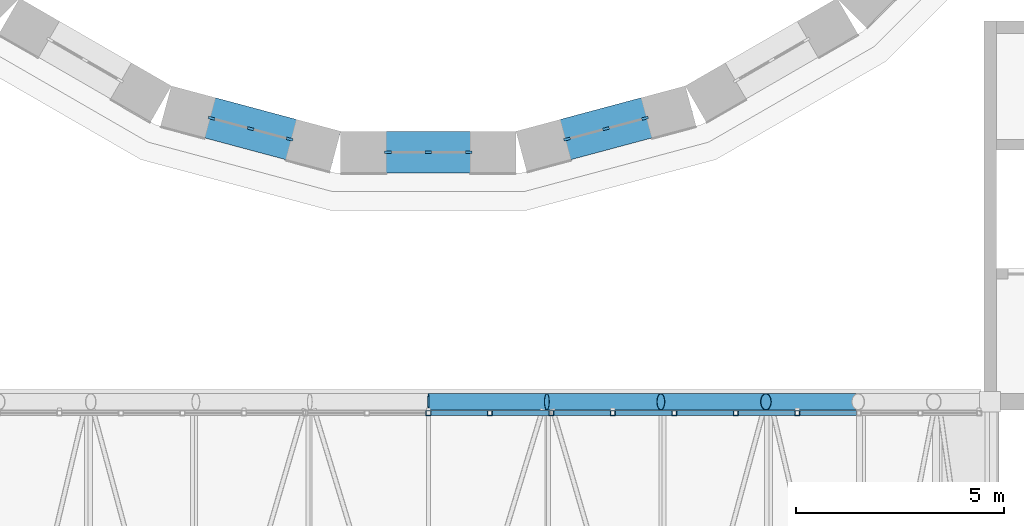
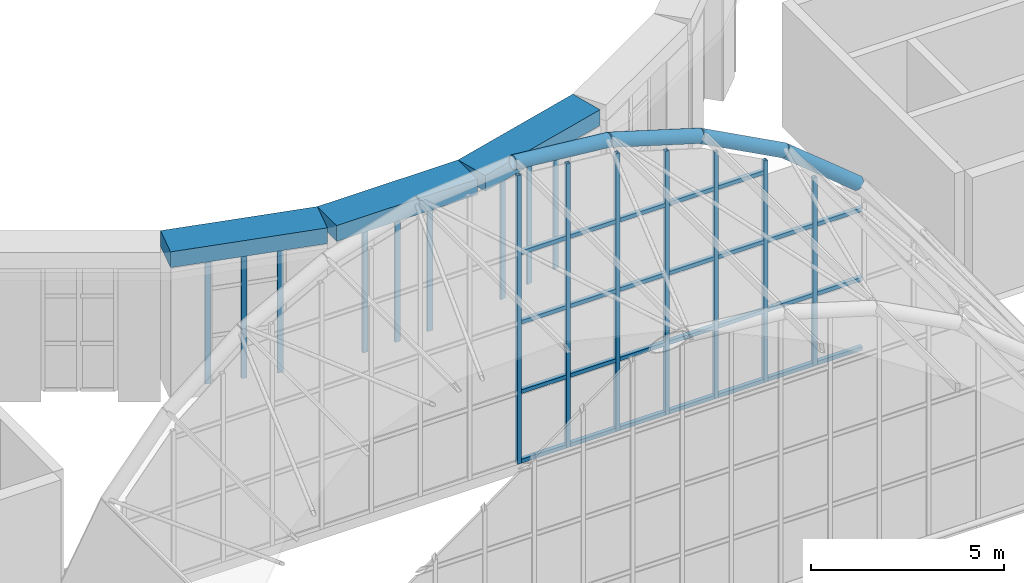
# One storey, part 56 of 121: 46 members, 3 beams, 4 elements without a shape of their own.
"""IFC4 building model written with IfcOpenShell, lengths in metres."""

import ifcopenshell
import ifcopenshell.guid

model = None  # the IFC model being written
_history = None  # IfcOwnerHistory: only IFC2X3 demands one
_inside = {}  # id of a spatial element -> (the spatial element, [elements in it])
_under = {}  # id of a project, library or spatial element -> (it, [spatial elements below it])
_declared = {}  # id of a project -> (the project, [libraries it declares])
_typed = {}  # id of a type object -> (the type object, [elements of that type])
_made_of = {}  # id of a material, layer set ... -> (it, [elements and type objects made of it])


def new_model(schema):
    """Start an empty IFC model of exactly this schema.

    Asked for "IFC4X3", IfcOpenShell would pick the latest addendum, in which some entities
    have other attributes; the version numbers below select the first issue.
    IFC2X3 requires an IfcOwnerHistory on every rooted entity: one is made here for all.
    """
    global model, _history
    if schema == "IFC4X3":
        model = ifcopenshell.file(schema_version=(4, 3, 0, 0))
    else:
        model = ifcopenshell.file(schema=schema)
    _inside.clear()
    _under.clear()
    _declared.clear()
    _typed.clear()
    _made_of.clear()
    _history = None
    if model.schema == "IFC2X3":
        org = make("IfcOrganization", Name="unknown")
        user = make(
            "IfcPersonAndOrganization",
            ThePerson=make("IfcPerson", FamilyName="unknown"),
            TheOrganization=org,
        )
        app = make(
            "IfcApplication",
            ApplicationDeveloper=org,
            Version="unknown",
            ApplicationFullName="unknown",
            ApplicationIdentifier="unknown",
        )
        _history = make(
            "IfcOwnerHistory",
            OwningUser=user,
            OwningApplication=app,
            ChangeAction="ADDED",
            CreationDate=0,
        )
    return model


def make(cls, **values):
    """One entity of the class cls with the attributes given. An attribute that is None is left unset."""
    return model.create_entity(
        cls, **{name: value for name, value in values.items() if value is not None}
    )


def rooted(cls, **values):
    """An entity with a GlobalId (a new one), such as an element, a storey or a relation."""
    return make(cls, GlobalId=ifcopenshell.guid.new(), OwnerHistory=_history, **values)


def si_unit(unit_type, name, prefix=None):
    """IfcSIUnit, for example si_unit("LENGTHUNIT", "METRE", prefix="MILLI")."""
    return make("IfcSIUnit", UnitType=unit_type, Prefix=prefix, Name=name)


def assignment(units):
    """IfcUnitAssignment: the units of a project."""
    return None if units is None else make("IfcUnitAssignment", Units=units)


def point(xyz):
    """IfcCartesianPoint."""
    return None if xyz is None else make("IfcCartesianPoint", Coordinates=xyz)


def direction(xyz):
    """IfcDirection."""
    return None if xyz is None else make("IfcDirection", DirectionRatios=xyz)


def frame(location, z_axis=None, x_axis=None):
    """IfcAxis2Placement3D, a coordinate frame: its origin and axes. An axis left out is left unset."""
    return make(
        "IfcAxis2Placement3D",
        Location=point(location),
        Axis=direction(z_axis),
        RefDirection=direction(x_axis),
    )


def frame_2d(location, x_axis=None):
    """IfcAxis2Placement2D, a coordinate frame in the plane: its origin and x axis."""
    return make(
        "IfcAxis2Placement2D", Location=point(location), RefDirection=direction(x_axis)
    )


def origin():
    """The frame at (0, 0, 0) with its axes left unset."""
    return frame((0.0, 0.0, 0.0))


def origin_2d():
    """The frame at (0, 0) in the plane with its x axis left unset."""
    return frame_2d((0.0, 0.0))


def place(relative_to, where):
    """IfcLocalPlacement: puts the frame where relative to a parent placement (None: the world)."""
    return make(
        "IfcLocalPlacement", PlacementRelTo=relative_to, RelativePlacement=where
    )


def context(
    kind, dimensions, precision=None, world=None, true_north=None, identifier=None
):
    """IfcGeometricRepresentationContext, for example the 3D "Model" context."""
    return make(
        "IfcGeometricRepresentationContext",
        ContextIdentifier=identifier,
        ContextType=kind,
        CoordinateSpaceDimension=dimensions,
        Precision=precision,
        WorldCoordinateSystem=world,
        TrueNorth=true_north,
    )


def subcontext(parent, identifier, kind, view, scale=None):
    """IfcGeometricRepresentationSubContext, for example "Body" below "Model"."""
    return make(
        "IfcGeometricRepresentationSubContext",
        ContextIdentifier=identifier,
        ContextType=kind,
        ParentContext=parent,
        TargetScale=scale,
        TargetView=view,
    )


def project(units=None, contexts=None):
    """IfcProject with its units and contexts."""
    return rooted(
        "IfcProject",
        Name="project",
        RepresentationContexts=contexts,
        UnitsInContext=assignment(units),
    )


def spatial(cls, under=None, at=None, **own):
    """A site, building, storey or space (cls), placed at a placement, below another one or the project."""
    s = rooted(cls, ObjectPlacement=at, **own)
    if under is not None:
        _under.setdefault(under.id(), (under, []))[1].append(s)
    return s


def profile(cls, at=None, kind="AREA", **sizes):
    """A parametric profile (cls). Its sizes go by their IFC names, for example OverallWidth=200.0."""
    return make(cls, ProfileType=kind, Position=at, **sizes)


def rectangle(**sizes):
    """IfcRectangleProfileDef."""
    return profile("IfcRectangleProfileDef", **sizes)


def hollow_rectangle(**sizes):
    """IfcRectangleHollowProfileDef."""
    return profile("IfcRectangleHollowProfileDef", **sizes)


def hollow_circle(**sizes):
    """IfcCircleHollowProfileDef."""
    return profile("IfcCircleHollowProfileDef", **sizes)


def extrude(swept, where, along, depth):
    """IfcExtrudedAreaSolid: the profile swept, set in the frame where, extruded along a direction by depth."""
    return make(
        "IfcExtrudedAreaSolid",
        SweptArea=swept,
        Position=where,
        ExtrudedDirection=direction(along),
        Depth=depth,
    )


def shape(context_of_items, identifier, shape_type, items):
    """IfcShapeRepresentation: the items that make up one representation, for example the "Body"."""
    return make(
        "IfcShapeRepresentation",
        ContextOfItems=context_of_items,
        RepresentationIdentifier=identifier,
        RepresentationType=shape_type,
        Items=items,
    )


def material(Name=None, Category=None):
    """IfcMaterial."""
    return make("IfcMaterial", Name=Name, Category=Category)


def layer(
    of_material, thickness, ventilated=None, Name=None, Category=None, Priority=None
):
    """IfcMaterialLayer: one layer of a wall or slab, of a material (None: an air gap)."""
    return make(
        "IfcMaterialLayer",
        Material=of_material,
        LayerThickness=thickness,
        IsVentilated=ventilated,
        Name=Name,
        Category=Category,
        Priority=Priority,
    )


def layer_set(layers, Name=None):
    """IfcMaterialLayerSet."""
    return make("IfcMaterialLayerSet", MaterialLayers=layers, LayerSetName=Name)


def material_profile(
    of_material, cross_section, Name=None, Category=None, Priority=None
):
    """IfcMaterialProfile: a cross section and its material."""
    return make(
        "IfcMaterialProfile",
        Name=Name,
        Material=of_material,
        Profile=cross_section,
        Priority=Priority,
        Category=Category,
    )


def profile_set(profiles, Name=None, composite=None):
    """IfcMaterialProfileSet."""
    return make(
        "IfcMaterialProfileSet",
        Name=Name,
        MaterialProfiles=profiles,
        CompositeProfile=composite,
    )


def made_of(thing, what):
    """Note that an element or type object is made of a material, layer set ...; save() writes the relation."""
    if what is not None:
        _made_of.setdefault(what.id(), (what, []))[1].append(thing)
    return thing


def type_object(cls, material=None, **own):
    """A type object (cls), such as IfcWallType, which elements share."""
    return made_of(rooted(cls, **own), material)


def element(
    cls,
    number,
    at=None,
    inside=None,
    cuts=None,
    type_object=None,
    material=None,
    context=None,
    identifier="Body",
    shape_type=None,
    held_by="IfcProductDefinitionShape",
    body=None,
    shapes=None,
    **own,
):
    """One element of the class cls, such as IfcWall. Its Tag is "e" and its number.

    at: its placement. inside: the storey or other place that contains it. cuts: it is an
    opening in that element (IfcRelVoidsElement). A single representation is given by context,
    identifier, shape_type and body (its items); several are given by shapes. held_by: the class
    of the entity that holds the representations. save() writes the other relations.
    """
    e = rooted(cls, Tag="e%d" % number, ObjectPlacement=at, **own)
    if body is not None:
        shapes = [shape(context, identifier, shape_type, body)]
    if shapes is not None:
        e.Representation = make(held_by, Representations=shapes)
    if inside is not None:
        _inside.setdefault(inside.id(), (inside, []))[1].append(e)
    if cuts is not None:
        rooted(
            "IfcRelVoidsElement", RelatingBuildingElement=cuts, RelatedOpeningElement=e
        )
    if type_object is not None:
        _typed.setdefault(type_object.id(), (type_object, []))[1].append(e)
    return made_of(e, material)


def aggregate(whole, parts):
    """IfcRelAggregates: a whole, such as a stair, and the parts it consists of."""
    return rooted("IfcRelAggregates", RelatingObject=whole, RelatedObjects=parts)


def save(model, path):
    """Write the relations noted so far, then the file.

    IfcRelAggregates (storeys below a building ...), IfcRelContainedInSpatialStructure (elements
    in a storey), IfcRelDefinesByType, IfcRelAssociatesMaterial and IfcRelDeclares: one each for
    every whole, place, type object, material and project.
    """
    for whole, parts in _under.values():
        aggregate(whole, parts)
    for where, things in _inside.values():
        rooted(
            "IfcRelContainedInSpatialStructure",
            RelatedElements=things,
            RelatingStructure=where,
        )
    for kind, things in _typed.values():
        rooted("IfcRelDefinesByType", RelatedObjects=things, RelatingType=kind)
    for what, things in _made_of.values():
        rooted("IfcRelAssociatesMaterial", RelatedObjects=things, RelatingMaterial=what)
    for by, libraries in _declared.values():
        rooted("IfcRelDeclares", RelatingContext=by, RelatedDefinitions=libraries)
    model.write(path)


model = new_model("IFC4")

# Units and contexts
model_context = context("Model", 3, precision=1e-05, world=origin(), true_north=direction((0.0, 1.0)))
body_context = subcontext(model_context, "Body", "Model", "MODEL_VIEW")
ifc_project = project(units=[si_unit("LENGTHUNIT", "METRE"), si_unit("AREAUNIT", "SQUARE_METRE"), si_unit("VOLUMEUNIT", "CUBIC_METRE"), si_unit("PLANEANGLEUNIT", "RADIAN"), si_unit("MASSUNIT", "GRAM", prefix="KILO")], contexts=[model_context])

# Site, building, storey
site_placement = place(None, origin())
site = spatial("IfcSite", under=ifc_project, at=site_placement, CompositionType="ELEMENT")
building_placement = place(site_placement, origin())
building = spatial("IfcBuilding", under=site, at=building_placement, Name="Golden Quay Civic Hall", CompositionType="ELEMENT")
storey_placement = place(building_placement, frame((0.0, 0.0, 18.60009765625)))
storey = spatial("IfcBuildingStorey", under=building, at=storey_placement, Name="L04", CompositionType="ELEMENT", Elevation=18.60009765625)

# Curtain wall, members
ifc_material_1 = material(Name="Glass, laminated double glazed", Category="glass")
ifc_layer = layer(ifc_material_1, 0.199951171875)
ifc_layer_set = layer_set([ifc_layer], Name="Glazed drum clerestory curtain wall")
curtain_wall_type_1 = type_object("IfcCurtainWallType", Name="Glazed drum clerestory curtain wall", PredefinedType="NOTDEFINED", material=ifc_layer_set)
curtain_wall_1_placement = place(storey_placement, origin())
curtain_wall_1 = element("IfcCurtainWall", 1, at=curtain_wall_1_placement, inside=storey, type_object=curtain_wall_type_1, Name="Clerestory curtain wall 17", PredefinedType="NOTDEFINED")
ifc_material_2 = material(Name="Aluminium, anodised", Category="aluminium")
ifc_material_profile_1 = material_profile(ifc_material_2, rectangle(XDim=0.06005859375, YDim=0.159912109375, at=origin_2d()), Name="Aluminium 60 x 160")
ifc_profile_set_1 = profile_set([ifc_material_profile_1], Name="Aluminium, anodised")
member_type_1 = type_object("IfcMemberType", Name="Aluminium mullion 60 x 160", PredefinedType="MULLION", material=ifc_profile_set_1)
member_1_placement = place(storey_placement, frame((80.29248046875, 69.813232421875, -0.2001953125), z_axis=(0.0, 0.0, 1.0), x_axis=(0.258807731996, 0.965928857556, 0.0)))
member_1 = element("IfcMember", 2, at=member_1_placement, type_object=member_type_1, Name="CW5 mullion 1", PredefinedType="MULLION", context=body_context, shape_type="SweptSolid", body=[
    extrude(rectangle(XDim=0.06005859375, YDim=0.159912109375, at=origin_2d()), origin(), (0.0, 0.0, 1.0), 4.2001953125),
])
member_2_placement = place(storey_placement, frame((81.2294921875, 69.562255859375, -0.2001953125), z_axis=(0.0, 0.0, 1.0), x_axis=(0.258807731996, 0.965928857556, 0.0)))
member_2 = element("IfcMember", 3, at=member_2_placement, type_object=member_type_1, Name="CW5 mullion 2", PredefinedType="MULLION", context=body_context, shape_type="SweptSolid", body=[
    extrude(rectangle(XDim=0.06005859375, YDim=0.159912109375, at=origin_2d()), origin(), (0.0, 0.0, 1.0), 4.2001953125),
])
member_3_placement = place(storey_placement, frame((82.16650390625, 69.311279296875, -0.2001953125), z_axis=(0.0, 0.0, 1.0), x_axis=(0.258807731996, 0.965928857556, 0.0)))
member_3 = element("IfcMember", 4, at=member_3_placement, type_object=member_type_1, Name="CW5 mullion 3", PredefinedType="MULLION", context=body_context, shape_type="SweptSolid", body=[
    extrude(rectangle(XDim=0.06005859375, YDim=0.159912109375, at=origin_2d()), origin(), (0.0, 0.0, 1.0), 4.2001953125),
])
aggregate(curtain_wall_1, [member_1, member_2, member_3])

curtain_wall_2_placement = place(storey_placement, origin())
curtain_wall_2 = element("IfcCurtainWall", 5, at=curtain_wall_2_placement, inside=storey, type_object=curtain_wall_type_1, Name="Clerestory curtain wall 18", PredefinedType="NOTDEFINED")
member_4_placement = place(storey_placement, frame((84.530029296875, 69.0, -0.2001953125), z_axis=(0.0, 0.0, 1.0), x_axis=(0.0, 1.0, 0.0)))
member_4 = element("IfcMember", 6, at=member_4_placement, type_object=member_type_1, Name="CW5 mullion 1", PredefinedType="MULLION", context=body_context, shape_type="SweptSolid", body=[
    extrude(rectangle(XDim=0.06005859375, YDim=0.159912109375, at=origin_2d()), origin(), (0.0, 0.0, 1.0), 4.2001953125),
])
member_5_placement = place(storey_placement, frame((85.5, 69.0, -0.2001953125), z_axis=(0.0, 0.0, 1.0), x_axis=(0.0, 1.0, 0.0)))
member_5 = element("IfcMember", 7, at=member_5_placement, type_object=member_type_1, Name="CW5 mullion 2", PredefinedType="MULLION", context=body_context, shape_type="SweptSolid", body=[
    extrude(rectangle(XDim=0.06005859375, YDim=0.159912109375, at=origin_2d()), origin(), (0.0, 0.0, 1.0), 4.2001953125),
])
member_6_placement = place(storey_placement, frame((86.469970703125, 69.0, -0.2001953125), z_axis=(0.0, 0.0, 1.0), x_axis=(0.0, 1.0, 0.0)))
member_6 = element("IfcMember", 8, at=member_6_placement, type_object=member_type_1, Name="CW5 mullion 3", PredefinedType="MULLION", context=body_context, shape_type="SweptSolid", body=[
    extrude(rectangle(XDim=0.06005859375, YDim=0.159912109375, at=origin_2d()), origin(), (0.0, 0.0, 1.0), 4.2001953125),
])
aggregate(curtain_wall_2, [member_4, member_5, member_6])

curtain_wall_3_placement = place(storey_placement, origin())
curtain_wall_3 = element("IfcCurtainWall", 9, at=curtain_wall_3_placement, inside=storey, type_object=curtain_wall_type_1, Name="Clerestory curtain wall 19", PredefinedType="NOTDEFINED")
member_7_placement = place(storey_placement, frame((88.83349609375, 69.311279296875, -0.2001953125), z_axis=(0.0, 0.0, 1.0), x_axis=(-0.258807731996, 0.965928857556, 0.0)))
member_7 = element("IfcMember", 10, at=member_7_placement, type_object=member_type_1, Name="CW5 mullion 1", PredefinedType="MULLION", context=body_context, shape_type="SweptSolid", body=[
    extrude(rectangle(XDim=0.06005859375, YDim=0.159912109375, at=origin_2d()), origin(), (0.0, 0.0, 1.0), 4.2001953125),
])
member_8_placement = place(storey_placement, frame((89.7705078125, 69.562255859375, -0.2001953125), z_axis=(0.0, 0.0, 1.0), x_axis=(-0.258807731996, 0.965928857556, 0.0)))
member_8 = element("IfcMember", 11, at=member_8_placement, type_object=member_type_1, Name="CW5 mullion 2", PredefinedType="MULLION", context=body_context, shape_type="SweptSolid", body=[
    extrude(rectangle(XDim=0.06005859375, YDim=0.159912109375, at=origin_2d()), origin(), (0.0, 0.0, 1.0), 4.2001953125),
])
member_9_placement = place(storey_placement, frame((90.70751953125, 69.813232421875, -0.2001953125), z_axis=(0.0, 0.0, 1.0), x_axis=(-0.258807731996, 0.965928857556, 0.0)))
member_9 = element("IfcMember", 12, at=member_9_placement, type_object=member_type_1, Name="CW5 mullion 3", PredefinedType="MULLION", context=body_context, shape_type="SweptSolid", body=[
    extrude(rectangle(XDim=0.06005859375, YDim=0.159912109375, at=origin_2d()), origin(), (0.0, 0.0, 1.0), 4.2001953125),
])
aggregate(curtain_wall_3, [member_7, member_8, member_9])

# Beams
ifc_material_3 = material(Name="Concrete C40/50", Category="concrete")
ifc_material_profile_2 = material_profile(ifc_material_3, rectangle(XDim=1.0, YDim=0.5, at=origin_2d()), Name="RC 1000x500")
ifc_profile_set_2 = profile_set([ifc_material_profile_2], Name="Concrete C40/50")
beam_type = type_object("IfcBeamType", Name="Reinforced concrete springing ring beam 1000x500", PredefinedType="BEAM", material=ifc_profile_set_2)
for number, where, z_axis, x_axis, name in (
    (13, (79.19482421875, 70.107421875, 4.25), (0.965928392597, -0.258809467323, 0.0), (0.258809467323, 0.965928392597, 0.0), "Drum ring beam segment 17"),
    (14, (83.3935546875, 69.0, 4.25), (1.0, 0.0, 0.0), (0.0, 1.0, 0.0), "Drum ring beam segment 18"),
    (15, (87.73583984375, 69.01708984375, 4.25), (0.965928392597, 0.258809467323, 0.0), (-0.258809467323, 0.965928392597, 0.0), "Drum ring beam segment 19"),
):
    element("IfcBeam", number, at=place(storey_placement, frame(where, z_axis=z_axis, x_axis=x_axis)), inside=storey, type_object=beam_type, Name=name, PredefinedType="BEAM", context=body_context, shape_type="SweptSolid", body=[
        extrude(rectangle(XDim=1.0, YDim=0.5, at=origin_2d()), origin(), (0.0, 0.0, 1.0), 4.212890625),
    ])

# Members
ifc_material_4 = material(Name="Steel S355", Category="steel")
ifc_material_profile_3 = material_profile(ifc_material_4, hollow_circle(Radius=0.203125, WallThickness=0.01611328125, at=origin_2d()), Name="CHS 406.4x16")
ifc_profile_set_3 = profile_set([ifc_material_profile_3], Name="Steel S355")
member_type_2 = type_object("IfcMemberType", Name="Steel arch rib CHS 406.4x16", PredefinedType="USERDEFINED", material=ifc_profile_set_3)
member_10_placement = place(storey_placement, frame((85.5, 63.0, 9.099853515625), z_axis=(0.995201360973, 0.0, -0.097848102266), x_axis=(0.0, 1.0, 0.0)))
element("IfcMember", 16, at=member_10_placement, inside=storey, type_object=member_type_2, Name="Arch rib 8 segment 7", ObjectType="ARCH RIB", PredefinedType="USERDEFINED", context=body_context, shape_type="SweptSolid", body=[
    extrude(hollow_circle(Radius=0.203125, WallThickness=0.01611328125, at=origin_2d()), origin(), (0.0, 0.0, 1.0), 2.86181640625),
])
member_11_placement = place(storey_placement, frame((88.34814453125, 63.0, 8.81982421875), z_axis=(0.957095401463, 0.0, -0.289773001673), x_axis=(0.0, 1.0, 0.0)))
element("IfcMember", 17, at=member_11_placement, inside=storey, type_object=member_type_2, Name="Arch rib 8 segment 8", ObjectType="ARCH RIB", PredefinedType="USERDEFINED", context=body_context, shape_type="SweptSolid", body=[
    extrude(hollow_circle(Radius=0.203125, WallThickness=0.01611328125, at=origin_2d()), origin(), (0.0, 0.0, 1.0), 2.862060546875),
])
for number, where, z_axis, x_axis, name in (
    (18, (91.08740234375, 63.0, 7.990478515625), (0.882326964097, 0.0, -0.470636939082), (0.0, 1.0, 0.0), "Arch rib 8 segment 9"),
    (19, (93.612548828125, 63.0, 6.6435546875), (0.773786223221, 0.0, -0.633446825514), (0.0, 1.0, 0.0), "Arch rib 8 segment 10"),
):
    element("IfcMember", number, at=place(storey_placement, frame(where, z_axis=z_axis, x_axis=x_axis)), inside=storey, type_object=member_type_2, Name=name, ObjectType="ARCH RIB", PredefinedType="USERDEFINED", context=body_context, shape_type="SweptSolid", body=[
        extrude(hollow_circle(Radius=0.203125, WallThickness=0.01611328125, at=origin_2d()), origin(), (0.0, 0.0, 1.0), 2.86181640625),
    ])

# Curtain wall, members
ifc_material_5 = material(Name="Glass and aluminium", Category="aluminium")
curtain_wall_type_2 = type_object("IfcCurtainWallType", Name="Glazed curtain wall 1500 module", PredefinedType="NOTDEFINED", material=ifc_material_5)
curtain_wall_4_placement = place(storey_placement, origin())
curtain_wall_4 = element("IfcCurtainWall", 20, at=curtain_wall_4_placement, inside=storey, type_object=curtain_wall_type_2, Name="Curtain wall tympanum north", PredefinedType="NOTDEFINED")
ifc_material_6 = material(Name="Steel S355", Category="steel")
ifc_material_profile_4 = material_profile(ifc_material_6, hollow_rectangle(XDim=0.1201171875, YDim=0.1201171875, WallThickness=0.008056640625, at=origin_2d()), Name="SHS 120x120x8")
ifc_profile_set_4 = profile_set([ifc_material_profile_4], Name="Steel S355")
member_type_3 = type_object("IfcMemberType", Name="Steel mullion SHS 120x120x8", PredefinedType="MULLION", material=ifc_profile_set_4)
member_12_placement = place(storey_placement, frame((85.5, 62.72998046875, -0.25), z_axis=(0.0, 0.0, 1.0), x_axis=(0.0, 1.0, 0.0)))
member_12 = element("IfcMember", 21, at=member_12_placement, type_object=member_type_3, Name="Tympanum mullion 10", PredefinedType="MULLION", context=body_context, shape_type="SweptSolid", body=[
    extrude(hollow_rectangle(XDim=0.1201171875, YDim=0.1201171875, WallThickness=0.008056640625, at=origin_2d()), origin(), (0.0, 0.0, 1.0), 9.139892578125),
])
member_13_placement = place(storey_placement, frame((86.977783203125, 62.72998046875, -0.25), z_axis=(0.0, 0.0, 1.0), x_axis=(0.0, 1.0, 0.0)))
member_13 = element("IfcMember", 22, at=member_13_placement, type_object=member_type_3, Name="Tympanum mullion 11", PredefinedType="MULLION", context=body_context, shape_type="SweptSolid", body=[
    extrude(hollow_rectangle(XDim=0.1201171875, YDim=0.1201171875, WallThickness=0.008056640625, at=origin_2d()), origin(), (0.0, 0.0, 1.0), 8.99462890625),
])
member_14_placement = place(storey_placement, frame((88.45556640625, 62.72998046875, -0.25), z_axis=(0.0, 0.0, 1.0), x_axis=(0.0, 1.0, 0.0)))
member_14 = element("IfcMember", 23, at=member_14_placement, type_object=member_type_3, Name="Tympanum mullion 12", PredefinedType="MULLION", context=body_context, shape_type="SweptSolid", body=[
    extrude(hollow_rectangle(XDim=0.1201171875, YDim=0.1201171875, WallThickness=0.008056640625, at=origin_2d()), origin(), (0.0, 0.0, 1.0), 8.806884765625),
])
member_15_placement = place(storey_placement, frame((89.933349609375, 62.72998046875, -0.25), z_axis=(0.0, 0.0, 1.0), x_axis=(0.0, 1.0, 0.0)))
member_15 = element("IfcMember", 24, at=member_15_placement, type_object=member_type_3, Name="Tympanum mullion 13", PredefinedType="MULLION", context=body_context, shape_type="SweptSolid", body=[
    extrude(hollow_rectangle(XDim=0.1201171875, YDim=0.1201171875, WallThickness=0.008056640625, at=origin_2d()), origin(), (0.0, 0.0, 1.0), 8.359375),
])
member_16_placement = place(storey_placement, frame((91.4111328125, 62.72998046875, -0.25), z_axis=(0.0, 0.0, 1.0), x_axis=(0.0, 1.0, 0.0)))
member_16 = element("IfcMember", 25, at=member_16_placement, type_object=member_type_3, Name="Tympanum mullion 14", PredefinedType="MULLION", context=body_context, shape_type="SweptSolid", body=[
    extrude(hollow_rectangle(XDim=0.1201171875, YDim=0.1201171875, WallThickness=0.008056640625, at=origin_2d()), origin(), (0.0, 0.0, 1.0), 7.805419921875),
])
member_17_placement = place(storey_placement, frame((92.888916015625, 62.72998046875, -0.25), z_axis=(0.0, 0.0, 1.0), x_axis=(0.0, 1.0, 0.0)))
member_17 = element("IfcMember", 26, at=member_17_placement, type_object=member_type_3, Name="Tympanum mullion 15", PredefinedType="MULLION", context=body_context, shape_type="SweptSolid", body=[
    extrude(hollow_rectangle(XDim=0.1201171875, YDim=0.1201171875, WallThickness=0.008056640625, at=origin_2d()), origin(), (0.0, 0.0, 1.0), 7.017333984375),
])
member_18_placement = place(storey_placement, frame((94.36669921875, 62.72998046875, -0.25), z_axis=(0.0, 0.0, 1.0), x_axis=(0.0, 1.0, 0.0)))
member_18 = element("IfcMember", 27, at=member_18_placement, type_object=member_type_3, Name="Tympanum mullion 16", PredefinedType="MULLION", context=body_context, shape_type="SweptSolid", body=[
    extrude(hollow_rectangle(XDim=0.1201171875, YDim=0.1201171875, WallThickness=0.008056640625, at=origin_2d()), origin(), (0.0, 0.0, 1.0), 5.964599609375),
])
ifc_material_7 = material(Name="Steel S355", Category="steel")
ifc_material_profile_5 = material_profile(ifc_material_7, hollow_rectangle(XDim=0.1201171875, YDim=0.1201171875, WallThickness=0.008056640625, at=origin_2d()), Name="SHS 120x120x8")
ifc_profile_set_5 = profile_set([ifc_material_profile_5], Name="Steel S355")
member_type_4 = type_object("IfcMemberType", Name="Steel transom SHS 120x120x8", PredefinedType="USERDEFINED", material=ifc_profile_set_5)
member_19_placement = place(storey_placement, frame((85.56005859375, 62.72998046875, -0.190185546875), z_axis=(1.0, 0.0, 0.0), x_axis=(0.0, 1.0, 0.0)))
member_19 = element("IfcMember", 28, at=member_19_placement, type_object=member_type_4, Name="Tympanum transom 10.1", ObjectType="TRANSOM", PredefinedType="USERDEFINED", context=body_context, shape_type="SweptSolid", body=[
    extrude(hollow_rectangle(XDim=0.1201171875, YDim=0.1201171875, WallThickness=0.008056640625, at=origin_2d()), origin(), (0.0, 0.0, 1.0), 1.357666015625),
])
member_20_placement = place(storey_placement, frame((85.56005859375, 62.72998046875, 2.010009765625), z_axis=(1.0, 0.0, 0.0), x_axis=(0.0, 1.0, 0.0)))
member_20 = element("IfcMember", 29, at=member_20_placement, type_object=member_type_4, Name="Tympanum transom 10.2", ObjectType="TRANSOM", PredefinedType="USERDEFINED", context=body_context, shape_type="SweptSolid", body=[
    extrude(hollow_rectangle(XDim=0.1201171875, YDim=0.1201171875, WallThickness=0.008056640625, at=origin_2d()), origin(), (0.0, 0.0, 1.0), 1.357666015625),
])
member_21_placement = place(storey_placement, frame((85.56005859375, 62.72998046875, 4.2099609375), z_axis=(1.0, 0.0, 0.0), x_axis=(0.0, 1.0, 0.0)))
member_21 = element("IfcMember", 30, at=member_21_placement, type_object=member_type_4, Name="Tympanum transom 10.3", ObjectType="TRANSOM", PredefinedType="USERDEFINED", context=body_context, shape_type="SweptSolid", body=[
    extrude(hollow_rectangle(XDim=0.1201171875, YDim=0.1201171875, WallThickness=0.008056640625, at=origin_2d()), origin(), (0.0, 0.0, 1.0), 1.357666015625),
])
member_22_placement = place(storey_placement, frame((85.56005859375, 62.72998046875, 6.409912109375), z_axis=(1.0, 0.0, 0.0), x_axis=(0.0, 1.0, 0.0)))
member_22 = element("IfcMember", 31, at=member_22_placement, type_object=member_type_4, Name="Tympanum transom 10.4", ObjectType="TRANSOM", PredefinedType="USERDEFINED", context=body_context, shape_type="SweptSolid", body=[
    extrude(hollow_rectangle(XDim=0.1201171875, YDim=0.1201171875, WallThickness=0.008056640625, at=origin_2d()), origin(), (0.0, 0.0, 1.0), 1.357666015625),
])
member_23_placement = place(storey_placement, frame((87.037841796875, 62.72998046875, -0.190185546875), z_axis=(1.0, 0.0, 0.0), x_axis=(0.0, 1.0, 0.0)))
member_23 = element("IfcMember", 32, at=member_23_placement, type_object=member_type_4, Name="Tympanum transom 11.1", ObjectType="TRANSOM", PredefinedType="USERDEFINED", context=body_context, shape_type="SweptSolid", body=[
    extrude(hollow_rectangle(XDim=0.1201171875, YDim=0.1201171875, WallThickness=0.008056640625, at=origin_2d()), origin(), (0.0, 0.0, 1.0), 1.357666015625),
])
member_24_placement = place(storey_placement, frame((87.037841796875, 62.72998046875, 2.010009765625), z_axis=(1.0, 0.0, 0.0), x_axis=(0.0, 1.0, 0.0)))
member_24 = element("IfcMember", 33, at=member_24_placement, type_object=member_type_4, Name="Tympanum transom 11.2", ObjectType="TRANSOM", PredefinedType="USERDEFINED", context=body_context, shape_type="SweptSolid", body=[
    extrude(hollow_rectangle(XDim=0.1201171875, YDim=0.1201171875, WallThickness=0.008056640625, at=origin_2d()), origin(), (0.0, 0.0, 1.0), 1.357666015625),
])
member_25_placement = place(storey_placement, frame((87.037841796875, 62.72998046875, 4.2099609375), z_axis=(1.0, 0.0, 0.0), x_axis=(0.0, 1.0, 0.0)))
member_25 = element("IfcMember", 34, at=member_25_placement, type_object=member_type_4, Name="Tympanum transom 11.3", ObjectType="TRANSOM", PredefinedType="USERDEFINED", context=body_context, shape_type="SweptSolid", body=[
    extrude(hollow_rectangle(XDim=0.1201171875, YDim=0.1201171875, WallThickness=0.008056640625, at=origin_2d()), origin(), (0.0, 0.0, 1.0), 1.357666015625),
])
member_26_placement = place(storey_placement, frame((87.037841796875, 62.72998046875, 6.409912109375), z_axis=(1.0, 0.0, 0.0), x_axis=(0.0, 1.0, 0.0)))
member_26 = element("IfcMember", 35, at=member_26_placement, type_object=member_type_4, Name="Tympanum transom 11.4", ObjectType="TRANSOM", PredefinedType="USERDEFINED", context=body_context, shape_type="SweptSolid", body=[
    extrude(hollow_rectangle(XDim=0.1201171875, YDim=0.1201171875, WallThickness=0.008056640625, at=origin_2d()), origin(), (0.0, 0.0, 1.0), 1.357666015625),
])
member_27_placement = place(storey_placement, frame((88.515625, 62.72998046875, -0.190185546875), z_axis=(1.0, 0.0, 0.0), x_axis=(0.0, 1.0, 0.0)))
member_27 = element("IfcMember", 36, at=member_27_placement, type_object=member_type_4, Name="Tympanum transom 12.1", ObjectType="TRANSOM", PredefinedType="USERDEFINED", context=body_context, shape_type="SweptSolid", body=[
    extrude(hollow_rectangle(XDim=0.1201171875, YDim=0.1201171875, WallThickness=0.008056640625, at=origin_2d()), origin(), (0.0, 0.0, 1.0), 1.357666015625),
])
member_28_placement = place(storey_placement, frame((88.515625, 62.72998046875, 2.010009765625), z_axis=(1.0, 0.0, 0.0), x_axis=(0.0, 1.0, 0.0)))
member_28 = element("IfcMember", 37, at=member_28_placement, type_object=member_type_4, Name="Tympanum transom 12.2", ObjectType="TRANSOM", PredefinedType="USERDEFINED", context=body_context, shape_type="SweptSolid", body=[
    extrude(hollow_rectangle(XDim=0.1201171875, YDim=0.1201171875, WallThickness=0.008056640625, at=origin_2d()), origin(), (0.0, 0.0, 1.0), 1.357666015625),
])
member_29_placement = place(storey_placement, frame((88.515625, 62.72998046875, 4.2099609375), z_axis=(1.0, 0.0, 0.0), x_axis=(0.0, 1.0, 0.0)))
member_29 = element("IfcMember", 38, at=member_29_placement, type_object=member_type_4, Name="Tympanum transom 12.3", ObjectType="TRANSOM", PredefinedType="USERDEFINED", context=body_context, shape_type="SweptSolid", body=[
    extrude(hollow_rectangle(XDim=0.1201171875, YDim=0.1201171875, WallThickness=0.008056640625, at=origin_2d()), origin(), (0.0, 0.0, 1.0), 1.357666015625),
])
member_30_placement = place(storey_placement, frame((88.515625, 62.72998046875, 6.409912109375), z_axis=(1.0, 0.0, 0.0), x_axis=(0.0, 1.0, 0.0)))
member_30 = element("IfcMember", 39, at=member_30_placement, type_object=member_type_4, Name="Tympanum transom 12.4", ObjectType="TRANSOM", PredefinedType="USERDEFINED", context=body_context, shape_type="SweptSolid", body=[
    extrude(hollow_rectangle(XDim=0.1201171875, YDim=0.1201171875, WallThickness=0.008056640625, at=origin_2d()), origin(), (0.0, 0.0, 1.0), 1.357666015625),
])
member_31_placement = place(storey_placement, frame((89.993408203125, 62.72998046875, -0.190185546875), z_axis=(1.0, 0.0, 0.0), x_axis=(0.0, 1.0, 0.0)))
member_31 = element("IfcMember", 40, at=member_31_placement, type_object=member_type_4, Name="Tympanum transom 13.1", ObjectType="TRANSOM", PredefinedType="USERDEFINED", context=body_context, shape_type="SweptSolid", body=[
    extrude(hollow_rectangle(XDim=0.1201171875, YDim=0.1201171875, WallThickness=0.008056640625, at=origin_2d()), origin(), (0.0, 0.0, 1.0), 1.357666015625),
])
member_32_placement = place(storey_placement, frame((89.993408203125, 62.72998046875, 2.010009765625), z_axis=(1.0, 0.0, 0.0), x_axis=(0.0, 1.0, 0.0)))
member_32 = element("IfcMember", 41, at=member_32_placement, type_object=member_type_4, Name="Tympanum transom 13.2", ObjectType="TRANSOM", PredefinedType="USERDEFINED", context=body_context, shape_type="SweptSolid", body=[
    extrude(hollow_rectangle(XDim=0.1201171875, YDim=0.1201171875, WallThickness=0.008056640625, at=origin_2d()), origin(), (0.0, 0.0, 1.0), 1.357666015625),
])
member_33_placement = place(storey_placement, frame((89.993408203125, 62.72998046875, 4.2099609375), z_axis=(1.0, 0.0, 0.0), x_axis=(0.0, 1.0, 0.0)))
member_33 = element("IfcMember", 42, at=member_33_placement, type_object=member_type_4, Name="Tympanum transom 13.3", ObjectType="TRANSOM", PredefinedType="USERDEFINED", context=body_context, shape_type="SweptSolid", body=[
    extrude(hollow_rectangle(XDim=0.1201171875, YDim=0.1201171875, WallThickness=0.008056640625, at=origin_2d()), origin(), (0.0, 0.0, 1.0), 1.357666015625),
])
member_34_placement = place(storey_placement, frame((89.993408203125, 62.72998046875, 6.409912109375), z_axis=(1.0, 0.0, 0.0), x_axis=(0.0, 1.0, 0.0)))
member_34 = element("IfcMember", 43, at=member_34_placement, type_object=member_type_4, Name="Tympanum transom 13.4", ObjectType="TRANSOM", PredefinedType="USERDEFINED", context=body_context, shape_type="SweptSolid", body=[
    extrude(hollow_rectangle(XDim=0.1201171875, YDim=0.1201171875, WallThickness=0.008056640625, at=origin_2d()), origin(), (0.0, 0.0, 1.0), 1.357666015625),
])
member_35_placement = place(storey_placement, frame((91.47119140625, 62.72998046875, -0.190185546875), z_axis=(1.0, 0.0, 0.0), x_axis=(0.0, 1.0, 0.0)))
member_35 = element("IfcMember", 44, at=member_35_placement, type_object=member_type_4, Name="Tympanum transom 14.1", ObjectType="TRANSOM", PredefinedType="USERDEFINED", context=body_context, shape_type="SweptSolid", body=[
    extrude(hollow_rectangle(XDim=0.1201171875, YDim=0.1201171875, WallThickness=0.008056640625, at=origin_2d()), origin(), (0.0, 0.0, 1.0), 1.357666015625),
])
member_36_placement = place(storey_placement, frame((91.47119140625, 62.72998046875, 2.010009765625), z_axis=(1.0, 0.0, 0.0), x_axis=(0.0, 1.0, 0.0)))
member_36 = element("IfcMember", 45, at=member_36_placement, type_object=member_type_4, Name="Tympanum transom 14.2", ObjectType="TRANSOM", PredefinedType="USERDEFINED", context=body_context, shape_type="SweptSolid", body=[
    extrude(hollow_rectangle(XDim=0.1201171875, YDim=0.1201171875, WallThickness=0.008056640625, at=origin_2d()), origin(), (0.0, 0.0, 1.0), 1.357666015625),
])
member_37_placement = place(storey_placement, frame((91.47119140625, 62.72998046875, 4.2099609375), z_axis=(1.0, 0.0, 0.0), x_axis=(0.0, 1.0, 0.0)))
member_37 = element("IfcMember", 46, at=member_37_placement, type_object=member_type_4, Name="Tympanum transom 14.3", ObjectType="TRANSOM", PredefinedType="USERDEFINED", context=body_context, shape_type="SweptSolid", body=[
    extrude(hollow_rectangle(XDim=0.1201171875, YDim=0.1201171875, WallThickness=0.008056640625, at=origin_2d()), origin(), (0.0, 0.0, 1.0), 1.357666015625),
])
member_38_placement = place(storey_placement, frame((91.47119140625, 62.72998046875, 6.409912109375), z_axis=(1.0, 0.0, 0.0), x_axis=(0.0, 1.0, 0.0)))
member_38 = element("IfcMember", 47, at=member_38_placement, type_object=member_type_4, Name="Tympanum transom 14.4", ObjectType="TRANSOM", PredefinedType="USERDEFINED", context=body_context, shape_type="SweptSolid", body=[
    extrude(hollow_rectangle(XDim=0.1201171875, YDim=0.1201171875, WallThickness=0.008056640625, at=origin_2d()), origin(), (0.0, 0.0, 1.0), 1.357666015625),
])
member_39_placement = place(storey_placement, frame((92.948974609375, 62.72998046875, -0.190185546875), z_axis=(1.0, 0.0, 0.0), x_axis=(0.0, 1.0, 0.0)))
member_39 = element("IfcMember", 48, at=member_39_placement, type_object=member_type_4, Name="Tympanum transom 15.1", ObjectType="TRANSOM", PredefinedType="USERDEFINED", context=body_context, shape_type="SweptSolid", body=[
    extrude(hollow_rectangle(XDim=0.1201171875, YDim=0.1201171875, WallThickness=0.008056640625, at=origin_2d()), origin(), (0.0, 0.0, 1.0), 1.357666015625),
])
member_40_placement = place(storey_placement, frame((92.948974609375, 62.72998046875, 2.010009765625), z_axis=(1.0, 0.0, 0.0), x_axis=(0.0, 1.0, 0.0)))
member_40 = element("IfcMember", 49, at=member_40_placement, type_object=member_type_4, Name="Tympanum transom 15.2", ObjectType="TRANSOM", PredefinedType="USERDEFINED", context=body_context, shape_type="SweptSolid", body=[
    extrude(hollow_rectangle(XDim=0.1201171875, YDim=0.1201171875, WallThickness=0.008056640625, at=origin_2d()), origin(), (0.0, 0.0, 1.0), 1.357666015625),
])
member_41_placement = place(storey_placement, frame((92.948974609375, 62.72998046875, 4.2099609375), z_axis=(1.0, 0.0, 0.0), x_axis=(0.0, 1.0, 0.0)))
member_41 = element("IfcMember", 50, at=member_41_placement, type_object=member_type_4, Name="Tympanum transom 15.3", ObjectType="TRANSOM", PredefinedType="USERDEFINED", context=body_context, shape_type="SweptSolid", body=[
    extrude(hollow_rectangle(XDim=0.1201171875, YDim=0.1201171875, WallThickness=0.008056640625, at=origin_2d()), origin(), (0.0, 0.0, 1.0), 1.357666015625),
])
member_42_placement = place(storey_placement, frame((94.4267578125, 62.72998046875, -0.190185546875), z_axis=(1.0, 0.0, 0.0), x_axis=(0.0, 1.0, 0.0)))
member_42 = element("IfcMember", 51, at=member_42_placement, type_object=member_type_4, Name="Tympanum transom 16.1", ObjectType="TRANSOM", PredefinedType="USERDEFINED", context=body_context, shape_type="SweptSolid", body=[
    extrude(hollow_rectangle(XDim=0.1201171875, YDim=0.1201171875, WallThickness=0.008056640625, at=origin_2d()), origin(), (0.0, 0.0, 1.0), 1.357666015625),
])
member_43_placement = place(storey_placement, frame((94.4267578125, 62.72998046875, 2.010009765625), z_axis=(1.0, 0.0, 0.0), x_axis=(0.0, 1.0, 0.0)))
member_43 = element("IfcMember", 52, at=member_43_placement, type_object=member_type_4, Name="Tympanum transom 16.2", ObjectType="TRANSOM", PredefinedType="USERDEFINED", context=body_context, shape_type="SweptSolid", body=[
    extrude(hollow_rectangle(XDim=0.1201171875, YDim=0.1201171875, WallThickness=0.008056640625, at=origin_2d()), origin(), (0.0, 0.0, 1.0), 1.357666015625),
])
member_44_placement = place(storey_placement, frame((94.4267578125, 62.72998046875, 4.2099609375), z_axis=(1.0, 0.0, 0.0), x_axis=(0.0, 1.0, 0.0)))
member_44 = element("IfcMember", 53, at=member_44_placement, type_object=member_type_4, Name="Tympanum transom 16.3", ObjectType="TRANSOM", PredefinedType="USERDEFINED", context=body_context, shape_type="SweptSolid", body=[
    extrude(hollow_rectangle(XDim=0.1201171875, YDim=0.1201171875, WallThickness=0.008056640625, at=origin_2d()), origin(), (0.0, 0.0, 1.0), 1.357666015625),
])
aggregate(curtain_wall_4, [member_12, member_13, member_14, member_15, member_16, member_17, member_18, member_19, member_20, member_21, member_22, member_23, member_24, member_25, member_26, member_27, member_28, member_29, member_30, member_31, member_32, member_33, member_34, member_35, member_36, member_37, member_38, member_39, member_40, member_41, member_42, member_43, member_44])

save(model, "model.ifc")
